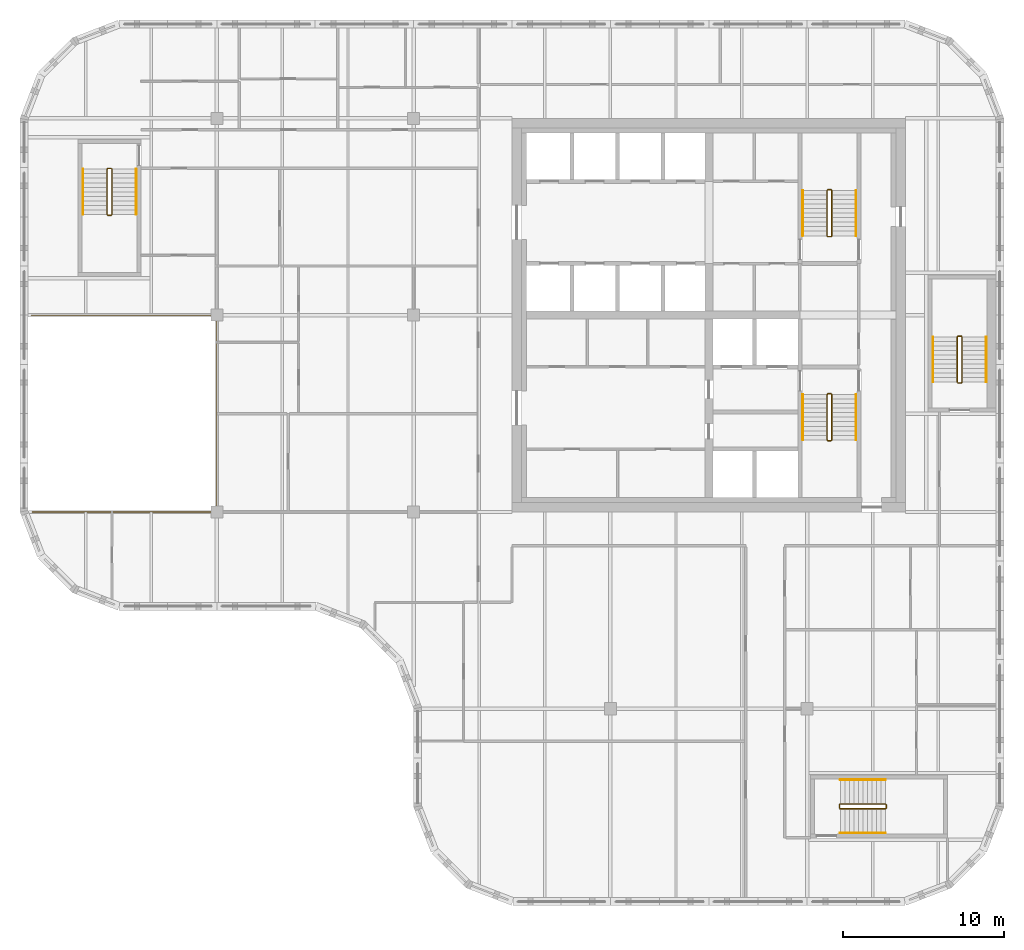
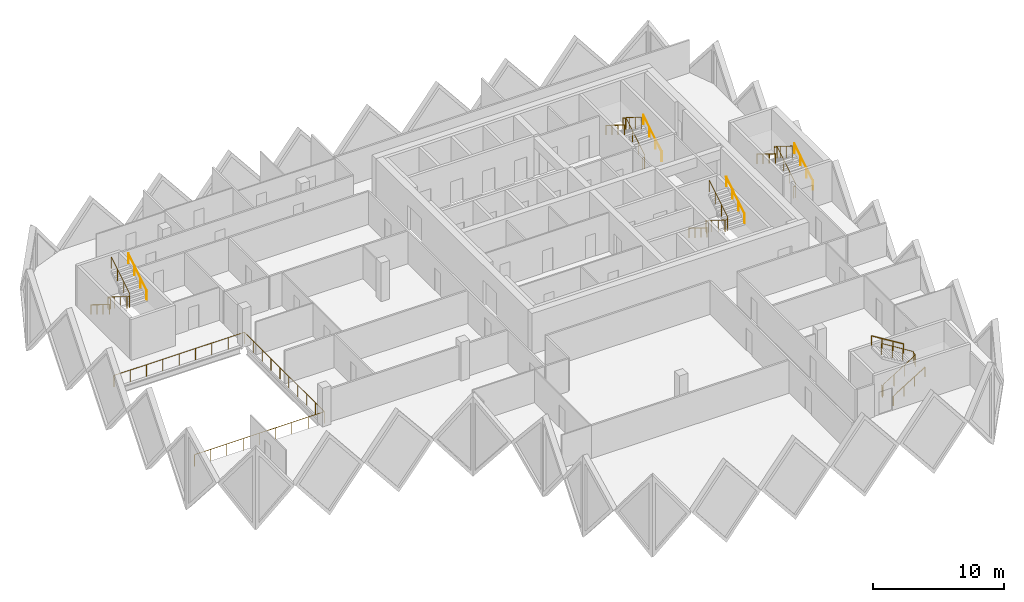
# One storey, part 11 of 11: 16 railings.
"""IFC4 building model written with IfcOpenShell, lengths in metres."""

from ifc_helpers import new_model, si_unit, direction, frame, origin, origin_2d, place, context, subcontext, project, spatial, circle, extrude, material, type_object, element, save


model = new_model("IFC4")

# Units and contexts
model_context = context("Model", 3, precision=1e-05, world=origin(), true_north=direction((0.0, 1.0)))
body_context = subcontext(model_context, "Body", "Model", "MODEL_VIEW")
ifc_project = project(units=[si_unit("LENGTHUNIT", "METRE"), si_unit("AREAUNIT", "SQUARE_METRE"), si_unit("VOLUMEUNIT", "CUBIC_METRE"), si_unit("PLANEANGLEUNIT", "RADIAN"), si_unit("MASSUNIT", "GRAM", prefix="KILO")], contexts=[model_context])

# Site, building, storey
site_placement = place(None, origin())
site = spatial("IfcSite", under=ifc_project, at=site_placement, CompositionType="ELEMENT")
building_placement = place(site_placement, origin())
building = spatial("IfcBuilding", under=site, at=building_placement, Name="Tessera Gate Towers", CompositionType="ELEMENT")
storey_placement = place(building_placement, frame((0.0, 0.0, 174.39990234375)))
storey = spatial("IfcBuildingStorey", under=building, at=storey_placement, Name="L43", CompositionType="ELEMENT", Elevation=174.39990234375)

# Railings
ifc_material_1 = material(Name="Toughened glass with stainless steel handrail", Category="steel")
railing_type_1 = type_object("IfcRailingType", Name="GUARD 1100 GLASS BALUSTRADE", PredefinedType="GUARDRAIL", material=ifc_material_1)
railing_1_placement = place(storey_placement, frame((0.750244140625, 24.39990234375, 0.0)))
element("IfcRailing", 1, at=railing_1_placement, inside=storey, type_object=railing_type_1, Name="Guard", PredefinedType="GUARDRAIL", context=body_context, shape_type="SweptSolid", body=[
    extrude(circle(Radius=0.02490234375, at=origin_2d()), frame((0.0, 0.0, 1.0751953125), z_axis=(1.0, 0.0, 0.0), x_axis=(0.0, 1.0, 0.0)), (0.0, 0.0, 1.0), 11.44970703125),
    extrude(circle(Radius=0.02490234375, at=origin_2d()), frame((11.44970703125, 0.0, 1.0751953125), z_axis=(0.0, 1.0, 0.0), x_axis=(-1.0, 0.0, 0.0)), (0.0, 0.0, 1.0), 12.2001953125),
    extrude(circle(Radius=0.02490234375, at=origin_2d()), frame((11.44970703125, 12.2001953125, 1.0751953125), z_axis=(-1.0, 0.0, 0.0), x_axis=(0.0, -1.0, 0.0)), (0.0, 0.0, 1.0), 11.5),
    extrude(circle(Radius=0.02490234375, at=origin_2d()), origin(), (0.0, 0.0, 1.0), 1.050048828125),
    extrude(circle(Radius=0.02490234375, at=origin_2d()), frame((1.43115234375, 0.0, 0.0)), (0.0, 0.0, 1.0), 1.050048828125),
    extrude(circle(Radius=0.02490234375, at=origin_2d()), frame((2.8623046875, 0.0, 0.0)), (0.0, 0.0, 1.0), 1.050048828125),
    extrude(circle(Radius=0.02490234375, at=origin_2d()), frame((4.293701171875, 0.0, 0.0)), (0.0, 0.0, 1.0), 1.050048828125),
    extrude(circle(Radius=0.02490234375, at=origin_2d()), frame((5.724853515625, 0.0, 0.0)), (0.0, 0.0, 1.0), 1.050048828125),
    extrude(circle(Radius=0.02490234375, at=origin_2d()), frame((7.156005859375, 0.0, 0.0)), (0.0, 0.0, 1.0), 1.050048828125),
    extrude(circle(Radius=0.02490234375, at=origin_2d()), frame((8.58740234375, 0.0, 0.0)), (0.0, 0.0, 1.0), 1.050048828125),
    extrude(circle(Radius=0.02490234375, at=origin_2d()), frame((10.0185546875, 0.0, 0.0)), (0.0, 0.0, 1.0), 1.050048828125),
    extrude(circle(Radius=0.02490234375, at=origin_2d()), frame((11.44970703125, 0.0, 0.0)), (0.0, 0.0, 1.0), 1.050048828125),
    extrude(circle(Radius=0.02490234375, at=origin_2d()), frame((11.44970703125, 1.35546875, 0.0)), (0.0, 0.0, 1.0), 1.050048828125),
    extrude(circle(Radius=0.02490234375, at=origin_2d()), frame((11.44970703125, 2.711181640625, 0.0)), (0.0, 0.0, 1.0), 1.050048828125),
    extrude(circle(Radius=0.02490234375, at=origin_2d()), frame((11.44970703125, 4.066650390625, 0.0)), (0.0, 0.0, 1.0), 1.050048828125),
    extrude(circle(Radius=0.02490234375, at=origin_2d()), frame((11.44970703125, 5.42236328125, 0.0)), (0.0, 0.0, 1.0), 1.050048828125),
    extrude(circle(Radius=0.02490234375, at=origin_2d()), frame((11.44970703125, 6.77783203125, 0.0)), (0.0, 0.0, 1.0), 1.050048828125),
    extrude(circle(Radius=0.02490234375, at=origin_2d()), frame((11.44970703125, 8.133544921875, 0.0)), (0.0, 0.0, 1.0), 1.050048828125),
    extrude(circle(Radius=0.02490234375, at=origin_2d()), frame((11.44970703125, 9.489013671875, 0.0)), (0.0, 0.0, 1.0), 1.050048828125),
    extrude(circle(Radius=0.02490234375, at=origin_2d()), frame((11.44970703125, 10.8447265625, 0.0)), (0.0, 0.0, 1.0), 1.050048828125),
    extrude(circle(Radius=0.02490234375, at=origin_2d()), frame((11.44970703125, 12.2001953125, 0.0)), (0.0, 0.0, 1.0), 1.050048828125),
    extrude(circle(Radius=0.02490234375, at=origin_2d()), frame((10.01220703125, 12.2001953125, 0.0)), (0.0, 0.0, 1.0), 1.050048828125),
    extrude(circle(Radius=0.02490234375, at=origin_2d()), frame((8.57470703125, 12.2001953125, 0.0)), (0.0, 0.0, 1.0), 1.050048828125),
    extrude(circle(Radius=0.02490234375, at=origin_2d()), frame((7.13720703125, 12.2001953125, 0.0)), (0.0, 0.0, 1.0), 1.050048828125),
    extrude(circle(Radius=0.02490234375, at=origin_2d()), frame((5.69970703125, 12.2001953125, 0.0)), (0.0, 0.0, 1.0), 1.050048828125),
    extrude(circle(Radius=0.02490234375, at=origin_2d()), frame((4.26220703125, 12.2001953125, 0.0)), (0.0, 0.0, 1.0), 1.050048828125),
    extrude(circle(Radius=0.02490234375, at=origin_2d()), frame((2.82470703125, 12.2001953125, 0.0)), (0.0, 0.0, 1.0), 1.050048828125),
    extrude(circle(Radius=0.02490234375, at=origin_2d()), frame((1.38720703125, 12.2001953125, 0.0)), (0.0, 0.0, 1.0), 1.050048828125),
    extrude(circle(Radius=0.02490234375, at=origin_2d()), frame((-0.05029296875, 12.2001953125, 0.0)), (0.0, 0.0, 1.0), 1.050048828125),
])
ifc_material_2 = material(Name="Steel 350W", Category="steel")
railing_type_2 = type_object("IfcRailingType", Name="STAIR GUARD 1100", PredefinedType="GUARDRAIL", material=ifc_material_2)
railing_2_placement = place(storey_placement, frame((50.27490234375, 31.72509765625, 0.0)))
element("IfcRailing", 2, at=railing_2_placement, inside=storey, type_object=railing_type_2, Name="L43 ST1 stair guard 1", PredefinedType="GUARDRAIL", context=body_context, shape_type="SweptSolid", body=[
    extrude(circle(Radius=0.02392578125, at=origin_2d()), frame((0.0, 0.0, 1.076171875), z_axis=(-1.0, 0.0, 0.0), x_axis=(0.0, -1.0, 0.0)), (0.0, 0.0, 1.0), 0.199951171875),
    extrude(circle(Radius=0.02392578125, at=origin_2d()), frame((-0.199951171875, 0.0, 1.076171875), z_axis=(-0.267953482034, -0.267953482034, 0.925419830635), x_axis=(0.707106781187, -0.707106781187, 0.0)), (0.0, 0.0, 1.0), 0.186767578125),
    extrude(circle(Radius=0.02392578125, at=origin_2d()), frame((-0.25, -0.050048828125, 1.2490234375), z_axis=(0.0, -0.851089632645, 0.525020415988), x_axis=(1.0, 0.0, 0.0)), (0.0, 0.0, 1.0), 3.2900390625),
    extrude(circle(Radius=0.02392578125, at=origin_2d()), frame((-0.25, -2.85009765625, 2.97607421875), z_axis=(0.707106781187, -0.707106781187, 0.0), x_axis=(0.707106781187, 0.707106781187, 0.0)), (0.0, 0.0, 1.0), 0.07080078125),
    extrude(circle(Radius=0.02392578125, at=origin_2d()), frame((-0.199951171875, -2.900146484375, 2.97607421875), z_axis=(1.0, 0.0, 0.0), x_axis=(0.0, 1.0, 0.0)), (0.0, 0.0, 1.0), 0.199951171875),
    extrude(circle(Radius=0.02392578125, at=origin_2d()), frame((0.0, -2.900146484375, 2.97607421875), z_axis=(0.268277960024, 0.268277960024, 0.925231793839), x_axis=(-0.707106781187, 0.707106781187, 0.0)), (0.0, 0.0, 1.0), 0.1865234375),
    extrude(circle(Radius=0.02392578125, at=origin_2d()), frame((0.050048828125, -2.85009765625, 3.14892578125), z_axis=(0.0, 0.851089632645, 0.525020415988), x_axis=(-1.0, 0.0, 0.0)), (0.0, 0.0, 1.0), 3.2900390625),
    extrude(circle(Radius=0.02099609375, at=origin_2d()), origin(), (0.0, 0.0, 1.0), 1.052001953125),
    extrude(circle(Radius=0.02099609375, at=origin_2d()), frame((-0.199951171875, 0.0, 0.0)), (0.0, 0.0, 1.0), 1.052001953125),
    extrude(circle(Radius=0.02099609375, at=origin_2d()), frame((-0.25, -0.050048828125, 0.1728515625)), (0.0, 0.0, 1.0), 1.052001953125),
    extrude(circle(Radius=0.02099609375, at=origin_2d()), frame((-0.25, -0.9833984375, 0.74853515625)), (0.0, 0.0, 1.0), 1.052001953125),
    extrude(circle(Radius=0.02099609375, at=origin_2d()), frame((-0.25, -1.916748046875, 1.324462890625)), (0.0, 0.0, 1.0), 1.052001953125),
    extrude(circle(Radius=0.02099609375, at=origin_2d()), frame((-0.25, -2.85009765625, 1.900146484375)), (0.0, 0.0, 1.0), 1.052001953125),
    extrude(circle(Radius=0.02099609375, at=origin_2d()), frame((-0.199951171875, -2.900146484375, 1.900146484375)), (0.0, 0.0, 1.0), 1.052001953125),
    extrude(circle(Radius=0.02099609375, at=origin_2d()), frame((0.0, -2.900146484375, 1.900146484375)), (0.0, 0.0, 1.0), 1.052001953125),
    extrude(circle(Radius=0.02099609375, at=origin_2d()), frame((0.050048828125, -2.85009765625, 2.07275390625)), (0.0, 0.0, 1.0), 1.052001953125),
    extrude(circle(Radius=0.02099609375, at=origin_2d()), frame((0.050048828125, -1.916748046875, 2.6484375)), (0.0, 0.0, 1.0), 1.052001953125),
    extrude(circle(Radius=0.02099609375, at=origin_2d()), frame((0.050048828125, -0.9833984375, 3.224365234375)), (0.0, 0.0, 1.0), 1.052001953125),
    extrude(circle(Radius=0.02099609375, at=origin_2d()), frame((0.050048828125, -0.050048828125, 3.800048828125)), (0.0, 0.0, 1.0), 1.052001953125),
])
railing_3_placement = place(storey_placement, frame((50.074951171875, 41.47509765625, 0.0)))
element("IfcRailing", 3, at=railing_3_placement, inside=storey, type_object=railing_type_2, Name="L43 ST2 stair guard 1", PredefinedType="GUARDRAIL", context=body_context, shape_type="SweptSolid", body=[
    extrude(circle(Radius=0.02392578125, at=origin_2d()), frame((0.0, 0.0, 1.076171875), z_axis=(1.0, 0.0, 0.0), x_axis=(0.0, 1.0, 0.0)), (0.0, 0.0, 1.0), 0.199951171875),
    extrude(circle(Radius=0.02392578125, at=origin_2d()), frame((0.199951171875, 0.0, 1.076171875), z_axis=(0.268047150085, 0.266739603011, 0.925743328097), x_axis=(-0.705375805398, 0.708833529934, 0.0)), (0.0, 0.0, 1.0), 0.186767578125),
    extrude(circle(Radius=0.02392578125, at=origin_2d()), frame((0.25, 0.0498046875, 1.2490234375), z_axis=(0.0, 0.851089632645, 0.525020415988), x_axis=(-1.0, 0.0, 0.0)), (0.0, 0.0, 1.0), 3.2900390625),
    extrude(circle(Radius=0.02392578125, at=origin_2d()), frame((0.25, 2.849853515625, 2.97607421875), z_axis=(-0.707106781187, 0.707106781187, 0.0), x_axis=(-0.707106781187, -0.707106781187, 0.0)), (0.0, 0.0, 1.0), 0.07080078125),
    extrude(circle(Radius=0.02392578125, at=origin_2d()), frame((0.199951171875, 2.89990234375, 2.97607421875), z_axis=(-1.0, 0.0, 0.0), x_axis=(0.0, -1.0, 0.0)), (0.0, 0.0, 1.0), 0.199951171875),
    extrude(circle(Radius=0.02392578125, at=origin_2d()), frame((0.0, 2.89990234375, 2.97607421875), z_axis=(-0.268277960024, -0.268277960024, 0.925231793839), x_axis=(0.707106781187, -0.707106781187, 0.0)), (0.0, 0.0, 1.0), 0.1865234375),
    extrude(circle(Radius=0.02392578125, at=origin_2d()), frame((-0.050048828125, 2.849853515625, 3.14892578125), z_axis=(0.0, -0.851089632645, 0.525020415988), x_axis=(1.0, 0.0, 0.0)), (0.0, 0.0, 1.0), 3.2900390625),
    extrude(circle(Radius=0.02099609375, at=origin_2d()), origin(), (0.0, 0.0, 1.0), 1.052001953125),
    extrude(circle(Radius=0.02099609375, at=origin_2d()), frame((0.199951171875, 0.0, 0.0)), (0.0, 0.0, 1.0), 1.052001953125),
    extrude(circle(Radius=0.02099609375, at=origin_2d()), frame((0.25, 0.0498046875, 0.1728515625)), (0.0, 0.0, 1.0), 1.052001953125),
    extrude(circle(Radius=0.02099609375, at=origin_2d()), frame((0.25, 0.983154296875, 0.74853515625)), (0.0, 0.0, 1.0), 1.052001953125),
    extrude(circle(Radius=0.02099609375, at=origin_2d()), frame((0.25, 1.91650390625, 1.324462890625)), (0.0, 0.0, 1.0), 1.052001953125),
    extrude(circle(Radius=0.02099609375, at=origin_2d()), frame((0.25, 2.849853515625, 1.900146484375)), (0.0, 0.0, 1.0), 1.052001953125),
    extrude(circle(Radius=0.02099609375, at=origin_2d()), frame((0.199951171875, 2.89990234375, 1.900146484375)), (0.0, 0.0, 1.0), 1.052001953125),
    extrude(circle(Radius=0.02099609375, at=origin_2d()), frame((0.0, 2.89990234375, 1.900146484375)), (0.0, 0.0, 1.0), 1.052001953125),
    extrude(circle(Radius=0.02099609375, at=origin_2d()), frame((-0.050048828125, 2.849853515625, 2.07275390625)), (0.0, 0.0, 1.0), 1.052001953125),
    extrude(circle(Radius=0.02099609375, at=origin_2d()), frame((-0.050048828125, 1.91650390625, 2.6484375)), (0.0, 0.0, 1.0), 1.052001953125),
    extrude(circle(Radius=0.02099609375, at=origin_2d()), frame((-0.050048828125, 0.983154296875, 3.224365234375)), (0.0, 0.0, 1.0), 1.052001953125),
    extrude(circle(Radius=0.02099609375, at=origin_2d()), frame((-0.050048828125, 0.0498046875, 3.800048828125)), (0.0, 0.0, 1.0), 1.052001953125),
])
railing_4_placement = place(storey_placement, frame((5.64990234375, 45.699951171875, 0.0)))
element("IfcRailing", 4, at=railing_4_placement, inside=storey, type_object=railing_type_2, Name="L43 ST3 stair guard 1", PredefinedType="GUARDRAIL", context=body_context, shape_type="SweptSolid", body=[
    extrude(circle(Radius=0.02392578125, at=origin_2d()), frame((0.0, 0.0, 1.076171875), z_axis=(-1.0, 0.0, 0.0), x_axis=(0.0, -1.0, 0.0)), (0.0, 0.0, 1.0), 0.199951171875),
    extrude(circle(Radius=0.02392578125, at=origin_2d()), frame((-0.199951171875, 0.0, 1.076171875), z_axis=(-0.267953482034, -0.267953482034, 0.925419830635), x_axis=(0.707106781187, -0.707106781187, 0.0)), (0.0, 0.0, 1.0), 0.186767578125),
    extrude(circle(Radius=0.02392578125, at=origin_2d()), frame((-0.25, -0.050048828125, 1.2490234375), z_axis=(0.0, -0.851069175582, 0.525053576669), x_axis=(1.0, 0.0, 0.0)), (0.0, 0.0, 1.0), 3.289794921875),
    extrude(circle(Radius=0.02392578125, at=origin_2d()), frame((-0.25, -2.849853515625, 2.97607421875), z_axis=(0.707106781187, -0.707106781187, 0.0), x_axis=(0.707106781187, 0.707106781187, 0.0)), (0.0, 0.0, 1.0), 0.07080078125),
    extrude(circle(Radius=0.02392578125, at=origin_2d()), frame((-0.199951171875, -2.89990234375, 2.97607421875), z_axis=(1.0, 0.0, 0.0), x_axis=(0.0, 1.0, 0.0)), (0.0, 0.0, 1.0), 0.199951171875),
    extrude(circle(Radius=0.02392578125, at=origin_2d()), frame((0.0, -2.89990234375, 2.97607421875), z_axis=(0.268277960024, 0.268277960024, 0.925231793839), x_axis=(-0.707106781187, 0.707106781187, 0.0)), (0.0, 0.0, 1.0), 0.1865234375),
    extrude(circle(Radius=0.02392578125, at=origin_2d()), frame((0.050048828125, -2.849853515625, 3.14892578125), z_axis=(0.0, 0.851069175582, 0.525053576669), x_axis=(-1.0, 0.0, 0.0)), (0.0, 0.0, 1.0), 3.289794921875),
    extrude(circle(Radius=0.02099609375, at=origin_2d()), origin(), (0.0, 0.0, 1.0), 1.052001953125),
    extrude(circle(Radius=0.02099609375, at=origin_2d()), frame((-0.199951171875, 0.0, 0.0)), (0.0, 0.0, 1.0), 1.052001953125),
    extrude(circle(Radius=0.02099609375, at=origin_2d()), frame((-0.25, -0.050048828125, 0.1728515625)), (0.0, 0.0, 1.0), 1.052001953125),
    extrude(circle(Radius=0.02099609375, at=origin_2d()), frame((-0.25, -0.9833984375, 0.74853515625)), (0.0, 0.0, 1.0), 1.052001953125),
    extrude(circle(Radius=0.02099609375, at=origin_2d()), frame((-0.25, -1.91650390625, 1.324462890625)), (0.0, 0.0, 1.0), 1.052001953125),
    extrude(circle(Radius=0.02099609375, at=origin_2d()), frame((-0.25, -2.849853515625, 1.900146484375)), (0.0, 0.0, 1.0), 1.052001953125),
    extrude(circle(Radius=0.02099609375, at=origin_2d()), frame((-0.199951171875, -2.89990234375, 1.900146484375)), (0.0, 0.0, 1.0), 1.052001953125),
    extrude(circle(Radius=0.02099609375, at=origin_2d()), frame((0.0, -2.89990234375, 1.900146484375)), (0.0, 0.0, 1.0), 1.052001953125),
    extrude(circle(Radius=0.02099609375, at=origin_2d()), frame((0.050048828125, -2.849853515625, 2.07275390625)), (0.0, 0.0, 1.0), 1.052001953125),
    extrude(circle(Radius=0.02099609375, at=origin_2d()), frame((0.050048828125, -1.91650390625, 2.6484375)), (0.0, 0.0, 1.0), 1.052001953125),
    extrude(circle(Radius=0.02099609375, at=origin_2d()), frame((0.050048828125, -0.9833984375, 3.224365234375)), (0.0, 0.0, 1.0), 1.052001953125),
    extrude(circle(Radius=0.02099609375, at=origin_2d()), frame((0.050048828125, -0.050048828125, 3.800048828125)), (0.0, 0.0, 1.0), 1.052001953125),
])
railing_5_placement = place(storey_placement, frame((50.800048828125, 6.25, 0.0)))
element("IfcRailing", 5, at=railing_5_placement, inside=storey, type_object=railing_type_2, Name="L43 ST4 stair guard 1", PredefinedType="GUARDRAIL", context=body_context, shape_type="SweptSolid", body=[
    extrude(circle(Radius=0.02392578125, at=origin_2d()), frame((0.0, 0.0, 1.076171875), z_axis=(0.0, -1.0, 0.0), x_axis=(1.0, 0.0, 0.0)), (0.0, 0.0, 1.0), 0.199951171875),
    extrude(circle(Radius=0.02392578125, at=origin_2d()), frame((0.0, -0.199951171875, 1.076171875), z_axis=(0.267953482034, -0.267953482034, 0.925419830635), x_axis=(0.707106781187, 0.707106781187, 0.0)), (0.0, 0.0, 1.0), 0.186767578125),
    extrude(circle(Radius=0.02392578125, at=origin_2d()), frame((0.050048828125, -0.25, 1.2490234375), z_axis=(0.851069175582, 0.0, 0.525053576669), x_axis=(0.0, 1.0, 0.0)), (0.0, 0.0, 1.0), 3.289794921875),
    extrude(circle(Radius=0.02392578125, at=origin_2d()), frame((2.849853515625, -0.25, 2.97607421875), z_axis=(0.707106781187, 0.707106781187, 0.0), x_axis=(-0.707106781187, 0.707106781187, 0.0)), (0.0, 0.0, 1.0), 0.07080078125),
    extrude(circle(Radius=0.02392578125, at=origin_2d()), frame((2.89990234375, -0.199951171875, 2.97607421875), z_axis=(0.0, 1.0, 0.0), x_axis=(-1.0, 0.0, 0.0)), (0.0, 0.0, 1.0), 0.199951171875),
    extrude(circle(Radius=0.02392578125, at=origin_2d()), frame((2.89990234375, 0.0, 2.97607421875), z_axis=(-0.268277960024, 0.268277960024, 0.925231793839), x_axis=(-0.707106781187, -0.707106781187, 0.0)), (0.0, 0.0, 1.0), 0.1865234375),
    extrude(circle(Radius=0.02392578125, at=origin_2d()), frame((2.849853515625, 0.050048828125, 3.14892578125), z_axis=(-0.851069175582, 0.0, 0.525053576669), x_axis=(0.0, -1.0, 0.0)), (0.0, 0.0, 1.0), 3.289794921875),
    extrude(circle(Radius=0.02099609375, at=origin_2d()), origin(), (0.0, 0.0, 1.0), 1.052001953125),
    extrude(circle(Radius=0.02099609375, at=origin_2d()), frame((0.0, -0.199951171875, 0.0)), (0.0, 0.0, 1.0), 1.052001953125),
    extrude(circle(Radius=0.02099609375, at=origin_2d()), frame((0.050048828125, -0.25, 0.1728515625)), (0.0, 0.0, 1.0), 1.052001953125),
    extrude(circle(Radius=0.02099609375, at=origin_2d()), frame((0.9833984375, -0.25, 0.74853515625)), (0.0, 0.0, 1.0), 1.052001953125),
    extrude(circle(Radius=0.02099609375, at=origin_2d()), frame((1.91650390625, -0.25, 1.324462890625)), (0.0, 0.0, 1.0), 1.052001953125),
    extrude(circle(Radius=0.02099609375, at=origin_2d()), frame((2.849853515625, -0.25, 1.900146484375)), (0.0, 0.0, 1.0), 1.052001953125),
    extrude(circle(Radius=0.02099609375, at=origin_2d()), frame((2.89990234375, -0.199951171875, 1.900146484375)), (0.0, 0.0, 1.0), 1.052001953125),
    extrude(circle(Radius=0.02099609375, at=origin_2d()), frame((2.89990234375, 0.0, 1.900146484375)), (0.0, 0.0, 1.0), 1.052001953125),
    extrude(circle(Radius=0.02099609375, at=origin_2d()), frame((2.849853515625, 0.050048828125, 2.07275390625)), (0.0, 0.0, 1.0), 1.052001953125),
    extrude(circle(Radius=0.02099609375, at=origin_2d()), frame((1.91650390625, 0.050048828125, 2.6484375)), (0.0, 0.0, 1.0), 1.052001953125),
    extrude(circle(Radius=0.02099609375, at=origin_2d()), frame((0.9833984375, 0.050048828125, 3.224365234375)), (0.0, 0.0, 1.0), 1.052001953125),
    extrude(circle(Radius=0.02099609375, at=origin_2d()), frame((0.050048828125, 0.050048828125, 3.800048828125)), (0.0, 0.0, 1.0), 1.052001953125),
])
railing_6_placement = place(storey_placement, frame((58.14990234375, 32.39990234375, 0.0)))
element("IfcRailing", 6, at=railing_6_placement, inside=storey, type_object=railing_type_2, Name="L43 ST5 stair guard 1", PredefinedType="GUARDRAIL", context=body_context, shape_type="SweptSolid", body=[
    extrude(circle(Radius=0.02392578125, at=origin_2d()), frame((0.0, 0.0, 1.076171875), z_axis=(1.0, 0.0, 0.0), x_axis=(0.0, 1.0, 0.0)), (0.0, 0.0, 1.0), 0.2001953125),
    extrude(circle(Radius=0.02392578125, at=origin_2d()), frame((0.2001953125, 0.0, 1.076171875), z_axis=(0.266739603011, 0.268047150085, 0.925743328097), x_axis=(-0.708833529934, 0.705375805398, 0.0)), (0.0, 0.0, 1.0), 0.186767578125),
    extrude(circle(Radius=0.02392578125, at=origin_2d()), frame((0.25, 0.050048828125, 1.2490234375), z_axis=(0.0, 0.851089632645, 0.525020415988), x_axis=(-1.0, 0.0, 0.0)), (0.0, 0.0, 1.0), 3.2900390625),
    extrude(circle(Radius=0.02392578125, at=origin_2d()), frame((0.25, 2.85009765625, 2.97607421875), z_axis=(-0.705375805398, 0.708833529934, 0.0), x_axis=(-0.708833529934, -0.705375805398, 0.0)), (0.0, 0.0, 1.0), 0.070556640625),
    extrude(circle(Radius=0.02392578125, at=origin_2d()), frame((0.2001953125, 2.900146484375, 2.97607421875), z_axis=(-1.0, 0.0, 0.0), x_axis=(0.0, -1.0, 0.0)), (0.0, 0.0, 1.0), 0.2001953125),
    extrude(circle(Radius=0.02392578125, at=origin_2d()), frame((0.0, 2.900146484375, 2.97607421875), z_axis=(-0.267062837333, -0.268371968888, 0.925556009775), x_axis=(0.708833529934, -0.705375805398, 0.0)), (0.0, 0.0, 1.0), 0.1865234375),
    extrude(circle(Radius=0.02392578125, at=origin_2d()), frame((-0.0498046875, 2.85009765625, 3.14892578125), z_axis=(0.0, -0.851089632645, 0.525020415988), x_axis=(1.0, 0.0, 0.0)), (0.0, 0.0, 1.0), 3.2900390625),
    extrude(circle(Radius=0.02099609375, at=origin_2d()), origin(), (0.0, 0.0, 1.0), 1.052001953125),
    extrude(circle(Radius=0.02099609375, at=origin_2d()), frame((0.2001953125, 0.0, 0.0)), (0.0, 0.0, 1.0), 1.052001953125),
    extrude(circle(Radius=0.02099609375, at=origin_2d()), frame((0.25, 0.050048828125, 0.1728515625)), (0.0, 0.0, 1.0), 1.052001953125),
    extrude(circle(Radius=0.02099609375, at=origin_2d()), frame((0.25, 0.9833984375, 0.74853515625)), (0.0, 0.0, 1.0), 1.052001953125),
    extrude(circle(Radius=0.02099609375, at=origin_2d()), frame((0.25, 1.916748046875, 1.324462890625)), (0.0, 0.0, 1.0), 1.052001953125),
    extrude(circle(Radius=0.02099609375, at=origin_2d()), frame((0.25, 2.85009765625, 1.900146484375)), (0.0, 0.0, 1.0), 1.052001953125),
    extrude(circle(Radius=0.02099609375, at=origin_2d()), frame((0.2001953125, 2.900146484375, 1.900146484375)), (0.0, 0.0, 1.0), 1.052001953125),
    extrude(circle(Radius=0.02099609375, at=origin_2d()), frame((0.0, 2.900146484375, 1.900146484375)), (0.0, 0.0, 1.0), 1.052001953125),
    extrude(circle(Radius=0.02099609375, at=origin_2d()), frame((-0.0498046875, 2.85009765625, 2.07275390625)), (0.0, 0.0, 1.0), 1.052001953125),
    extrude(circle(Radius=0.02099609375, at=origin_2d()), frame((-0.0498046875, 1.916748046875, 2.6484375)), (0.0, 0.0, 1.0), 1.052001953125),
    extrude(circle(Radius=0.02099609375, at=origin_2d()), frame((-0.0498046875, 0.9833984375, 3.224365234375)), (0.0, 0.0, 1.0), 1.052001953125),
    extrude(circle(Radius=0.02099609375, at=origin_2d()), frame((-0.0498046875, 0.050048828125, 3.800048828125)), (0.0, 0.0, 1.0), 1.052001953125),
])
ifc_material_3 = material(Name="Steel 350W", Category="steel")
railing_type_3 = type_object("IfcRailingType", Name="STAIR HANDRAIL 900", PredefinedType="HANDRAIL", material=ifc_material_3)
railing_7_placement = place(storey_placement, frame((48.52490234375, 31.675048828125, 0.1728515625)))
element("IfcRailing", 7, at=railing_7_placement, inside=storey, type_object=railing_type_3, Name="L43 ST1 stair handrail 1", PredefinedType="HANDRAIL", context=body_context, shape_type="SweptSolid", body=[
    extrude(circle(Radius=0.02392578125, at=origin_2d()), frame((0.0, 0.0, 0.8759765625), z_axis=(0.0, -0.851089632645, 0.525020415988), x_axis=(1.0, 0.0, 0.0)), (0.0, 0.0, 1.0), 3.2900390625),
    extrude(circle(Radius=0.02099609375, at=origin_2d()), origin(), (0.0, 0.0, 1.0), 0.851806640625),
    extrude(circle(Radius=0.02099609375, at=origin_2d()), frame((0.0, -0.933349609375, 0.57568359375)), (0.0, 0.0, 1.0), 0.851806640625),
    extrude(circle(Radius=0.02099609375, at=origin_2d()), frame((0.0, -1.86669921875, 1.151611328125)), (0.0, 0.0, 1.0), 0.851806640625),
    extrude(circle(Radius=0.02099609375, at=origin_2d()), frame((0.0, -2.800048828125, 1.727294921875)), (0.0, 0.0, 1.0), 0.851806640625),
])
for number, where, name in (
    (8, (51.824951171875, 28.875, 2.07275390625), "L43 ST1 stair handrail 2"),
    (9, (51.824951171875, 41.52490234375, 0.1728515625), "L43 ST2 stair handrail 1"),
):
    element("IfcRailing", number, at=place(storey_placement, frame(where)), inside=storey, type_object=railing_type_3, Name=name, PredefinedType="HANDRAIL", context=body_context, shape_type="SweptSolid", body=[
        extrude(circle(Radius=0.02392578125, at=origin_2d()), frame((0.0, 0.0, 0.8759765625), z_axis=(0.0, 0.851089632645, 0.525020415988), x_axis=(-1.0, 0.0, 0.0)), (0.0, 0.0, 1.0), 3.2900390625),
        extrude(circle(Radius=0.02099609375, at=origin_2d()), origin(), (0.0, 0.0, 1.0), 0.851806640625),
        extrude(circle(Radius=0.02099609375, at=origin_2d()), frame((0.0, 0.933349609375, 0.57568359375)), (0.0, 0.0, 1.0), 0.851806640625),
        extrude(circle(Radius=0.02099609375, at=origin_2d()), frame((0.0, 1.86669921875, 1.151611328125)), (0.0, 0.0, 1.0), 0.851806640625),
        extrude(circle(Radius=0.02099609375, at=origin_2d()), frame((0.0, 2.800048828125, 1.727294921875)), (0.0, 0.0, 1.0), 0.851806640625),
    ])
railing_8_placement = place(storey_placement, frame((48.52490234375, 44.324951171875, 2.07275390625)))
element("IfcRailing", 10, at=railing_8_placement, inside=storey, type_object=railing_type_3, Name="L43 ST2 stair handrail 2", PredefinedType="HANDRAIL", context=body_context, shape_type="SweptSolid", body=[
    extrude(circle(Radius=0.02392578125, at=origin_2d()), frame((0.0, 0.0, 0.8759765625), z_axis=(0.0, -0.851089632645, 0.525020415988), x_axis=(1.0, 0.0, 0.0)), (0.0, 0.0, 1.0), 3.2900390625),
    extrude(circle(Radius=0.02099609375, at=origin_2d()), origin(), (0.0, 0.0, 1.0), 0.851806640625),
    extrude(circle(Radius=0.02099609375, at=origin_2d()), frame((0.0, -0.933349609375, 0.57568359375)), (0.0, 0.0, 1.0), 0.851806640625),
    extrude(circle(Radius=0.02099609375, at=origin_2d()), frame((0.0, -1.86669921875, 1.151611328125)), (0.0, 0.0, 1.0), 0.851806640625),
    extrude(circle(Radius=0.02099609375, at=origin_2d()), frame((0.0, -2.800048828125, 1.727294921875)), (0.0, 0.0, 1.0), 0.851806640625),
])
railing_9_placement = place(storey_placement, frame((3.89990234375, 45.64990234375, 0.1728515625)))
element("IfcRailing", 11, at=railing_9_placement, inside=storey, type_object=railing_type_3, Name="L43 ST3 stair handrail 1", PredefinedType="HANDRAIL", context=body_context, shape_type="SweptSolid", body=[
    extrude(circle(Radius=0.02392578125, at=origin_2d()), frame((0.0, 0.0, 0.8759765625), z_axis=(0.0, -0.851069175582, 0.525053576669), x_axis=(1.0, 0.0, 0.0)), (0.0, 0.0, 1.0), 3.289794921875),
    extrude(circle(Radius=0.02099609375, at=origin_2d()), origin(), (0.0, 0.0, 1.0), 0.851806640625),
    extrude(circle(Radius=0.02099609375, at=origin_2d()), frame((0.0, -0.933349609375, 0.57568359375)), (0.0, 0.0, 1.0), 0.851806640625),
    extrude(circle(Radius=0.02099609375, at=origin_2d()), frame((0.0, -1.866455078125, 1.151611328125)), (0.0, 0.0, 1.0), 0.851806640625),
    extrude(circle(Radius=0.02099609375, at=origin_2d()), frame((0.0, -2.7998046875, 1.727294921875)), (0.0, 0.0, 1.0), 0.851806640625),
])
railing_10_placement = place(storey_placement, frame((7.199951171875, 42.85009765625, 2.07275390625)))
element("IfcRailing", 12, at=railing_10_placement, inside=storey, type_object=railing_type_3, Name="L43 ST3 stair handrail 2", PredefinedType="HANDRAIL", context=body_context, shape_type="SweptSolid", body=[
    extrude(circle(Radius=0.02392578125, at=origin_2d()), frame((0.0, 0.0, 0.8759765625), z_axis=(0.0, 0.851069175582, 0.525053576669), x_axis=(-1.0, 0.0, 0.0)), (0.0, 0.0, 1.0), 3.289794921875),
    extrude(circle(Radius=0.02099609375, at=origin_2d()), origin(), (0.0, 0.0, 1.0), 0.851806640625),
    extrude(circle(Radius=0.02099609375, at=origin_2d()), frame((0.0, 0.933349609375, 0.57568359375)), (0.0, 0.0, 1.0), 0.851806640625),
    extrude(circle(Radius=0.02099609375, at=origin_2d()), frame((0.0, 1.866455078125, 1.151611328125)), (0.0, 0.0, 1.0), 0.851806640625),
    extrude(circle(Radius=0.02099609375, at=origin_2d()), frame((0.0, 2.7998046875, 1.727294921875)), (0.0, 0.0, 1.0), 0.851806640625),
])
railing_11_placement = place(storey_placement, frame((50.85009765625, 4.5, 0.1728515625)))
element("IfcRailing", 13, at=railing_11_placement, inside=storey, type_object=railing_type_3, Name="L43 ST4 stair handrail 1", PredefinedType="HANDRAIL", context=body_context, shape_type="SweptSolid", body=[
    extrude(circle(Radius=0.02392578125, at=origin_2d()), frame((0.0, 0.0, 0.8759765625), z_axis=(0.851069175582, 0.0, 0.525053576669), x_axis=(0.0, 1.0, 0.0)), (0.0, 0.0, 1.0), 3.289794921875),
    extrude(circle(Radius=0.02099609375, at=origin_2d()), origin(), (0.0, 0.0, 1.0), 0.851806640625),
    extrude(circle(Radius=0.02099609375, at=origin_2d()), frame((0.933349609375, 0.0, 0.57568359375)), (0.0, 0.0, 1.0), 0.851806640625),
    extrude(circle(Radius=0.02099609375, at=origin_2d()), frame((1.866455078125, 0.0, 1.151611328125)), (0.0, 0.0, 1.0), 0.851806640625),
    extrude(circle(Radius=0.02099609375, at=origin_2d()), frame((2.7998046875, 0.0, 1.727294921875)), (0.0, 0.0, 1.0), 0.851806640625),
])
railing_12_placement = place(storey_placement, frame((53.64990234375, 7.800048828125, 2.07275390625)))
element("IfcRailing", 14, at=railing_12_placement, inside=storey, type_object=railing_type_3, Name="L43 ST4 stair handrail 2", PredefinedType="HANDRAIL", context=body_context, shape_type="SweptSolid", body=[
    extrude(circle(Radius=0.02392578125, at=origin_2d()), frame((0.0, 0.0, 0.8759765625), z_axis=(-0.851069175582, 0.0, 0.525053576669), x_axis=(0.0, -1.0, 0.0)), (0.0, 0.0, 1.0), 3.289794921875),
    extrude(circle(Radius=0.02099609375, at=origin_2d()), origin(), (0.0, 0.0, 1.0), 0.851806640625),
    extrude(circle(Radius=0.02099609375, at=origin_2d()), frame((-0.933349609375, 0.0, 0.57568359375)), (0.0, 0.0, 1.0), 0.851806640625),
    extrude(circle(Radius=0.02099609375, at=origin_2d()), frame((-1.866455078125, 0.0, 1.151611328125)), (0.0, 0.0, 1.0), 0.851806640625),
    extrude(circle(Radius=0.02099609375, at=origin_2d()), frame((-2.7998046875, 0.0, 1.727294921875)), (0.0, 0.0, 1.0), 0.851806640625),
])
railing_13_placement = place(storey_placement, frame((59.89990234375, 32.449951171875, 0.1728515625)))
element("IfcRailing", 15, at=railing_13_placement, inside=storey, type_object=railing_type_3, Name="L43 ST5 stair handrail 1", PredefinedType="HANDRAIL", context=body_context, shape_type="SweptSolid", body=[
    extrude(circle(Radius=0.02392578125, at=origin_2d()), frame((0.0, 0.0, 0.8759765625), z_axis=(0.0, 0.851089632645, 0.525020415988), x_axis=(-1.0, 0.0, 0.0)), (0.0, 0.0, 1.0), 3.2900390625),
    extrude(circle(Radius=0.02099609375, at=origin_2d()), origin(), (0.0, 0.0, 1.0), 0.851806640625),
    extrude(circle(Radius=0.02099609375, at=origin_2d()), frame((0.0, 0.933349609375, 0.57568359375)), (0.0, 0.0, 1.0), 0.851806640625),
    extrude(circle(Radius=0.02099609375, at=origin_2d()), frame((0.0, 1.86669921875, 1.151611328125)), (0.0, 0.0, 1.0), 0.851806640625),
    extrude(circle(Radius=0.02099609375, at=origin_2d()), frame((0.0, 2.800048828125, 1.727294921875)), (0.0, 0.0, 1.0), 0.851806640625),
])
railing_14_placement = place(storey_placement, frame((56.60009765625, 35.25, 2.07275390625)))
element("IfcRailing", 16, at=railing_14_placement, inside=storey, type_object=railing_type_3, Name="L43 ST5 stair handrail 2", PredefinedType="HANDRAIL", context=body_context, shape_type="SweptSolid", body=[
    extrude(circle(Radius=0.02392578125, at=origin_2d()), frame((0.0, 0.0, 0.8759765625), z_axis=(0.0, -0.851089632645, 0.525020415988), x_axis=(1.0, 0.0, 0.0)), (0.0, 0.0, 1.0), 3.2900390625),
    extrude(circle(Radius=0.02099609375, at=origin_2d()), origin(), (0.0, 0.0, 1.0), 0.851806640625),
    extrude(circle(Radius=0.02099609375, at=origin_2d()), frame((0.0, -0.933349609375, 0.57568359375)), (0.0, 0.0, 1.0), 0.851806640625),
    extrude(circle(Radius=0.02099609375, at=origin_2d()), frame((0.0, -1.86669921875, 1.151611328125)), (0.0, 0.0, 1.0), 0.851806640625),
    extrude(circle(Radius=0.02099609375, at=origin_2d()), frame((0.0, -2.800048828125, 1.727294921875)), (0.0, 0.0, 1.0), 0.851806640625),
])

save(model, "model.ifc")
